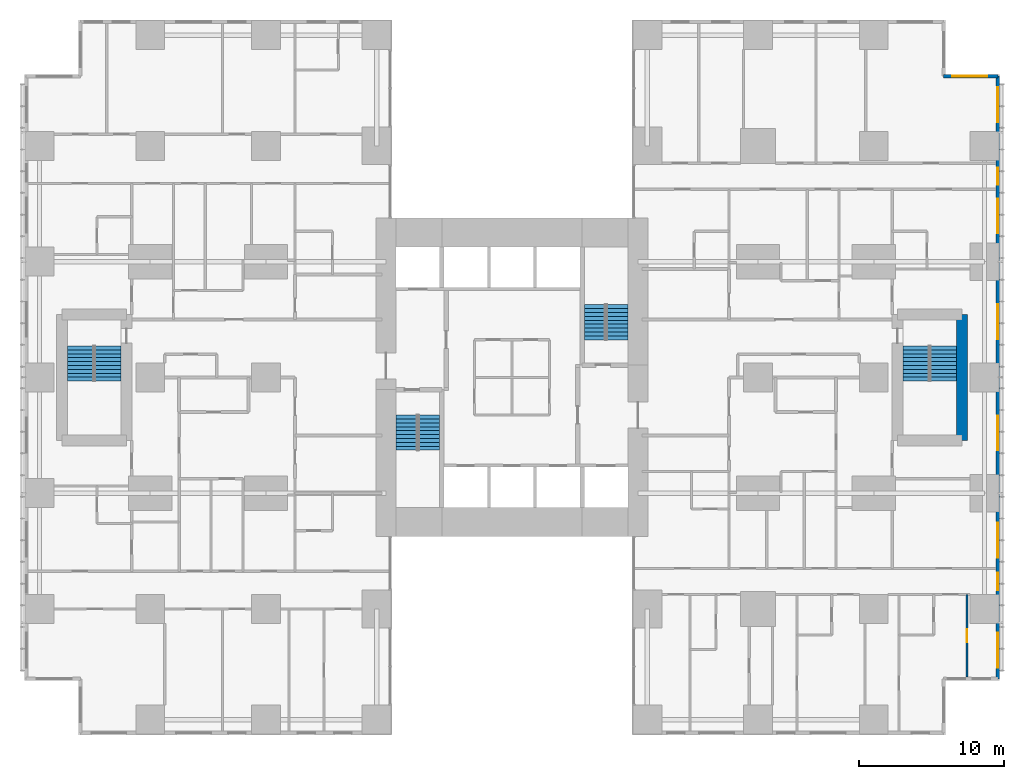
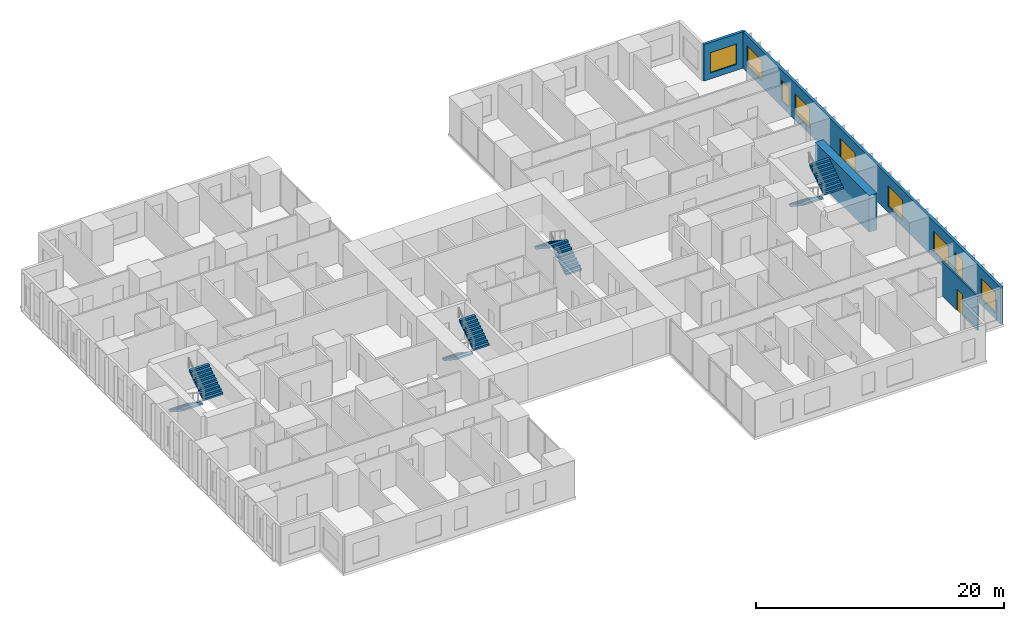
# One storey, part 19 of 20: 9 windows, 8 stair flights, 4 walls, 1 door, 10 openings, 4 elements without a shape of their own.
"""IFC4 building model written with IfcOpenShell, lengths in metres."""

from ifc_helpers import new_model, si_unit, direction, frame, frame_2d, origin, place, context, subcontext, project, spatial, polyline, rectangle, outline, extrude, material, layer, layer_set, type_object, element, fill, aggregate, save


model = new_model("IFC4")

# Units and contexts
model_context = context("Model", 3, precision=1e-05, world=origin(), true_north=direction((0.0, 1.0)))
body_context = subcontext(model_context, "Body", "Model", "MODEL_VIEW")
ifc_project = project(units=[si_unit("LENGTHUNIT", "METRE"), si_unit("AREAUNIT", "SQUARE_METRE"), si_unit("VOLUMEUNIT", "CUBIC_METRE"), si_unit("PLANEANGLEUNIT", "RADIAN"), si_unit("MASSUNIT", "GRAM", prefix="KILO")], contexts=[model_context])

# Site, building, storey
site_placement = place(None, origin())
site = spatial("IfcSite", under=ifc_project, at=site_placement, CompositionType="ELEMENT")
building_placement = place(site_placement, origin())
building = spatial("IfcBuilding", under=site, at=building_placement, Name="Cleftline Residences", CompositionType="ELEMENT")
storey_placement = place(building_placement, frame((0.0, 0.0, 51.199951171875)))
storey = spatial("IfcBuildingStorey", under=building, at=storey_placement, Name="L12", CompositionType="ELEMENT", Elevation=51.199951171875)

# Wall, openings, windows
ifc_material_1 = material(Name="Rendered reinforced concrete blockwork", Category="masonry")
ifc_layer_1 = layer(ifc_material_1, 0.25)
ifc_layer_set_1 = layer_set([ifc_layer_1], Name="EXTERNAL WALL 250")
wall_type_1 = type_object("IfcWallType", Name="EXTERNAL WALL 250", PredefinedType="SOLIDWALL", material=ifc_layer_set_1)
wall_1_placement = place(storey_placement, frame((66.574951171875, 3.175048828125, 0.0), z_axis=(0.0, 0.0, 1.0), x_axis=(0.0, 1.0, 0.0)))
wall_1 = element("IfcWall", 1, at=wall_1_placement, inside=storey, type_object=wall_type_1, Name="External wall", PredefinedType="SOLIDWALL", context=body_context, shape_type="SweptSolid", body=[
    extrude(rectangle(XDim=41.64990234375, YDim=0.25, at=frame_2d((20.824951171875, 0.0))), origin(), (0.0, 0.0, 1.0), 3.60009765625),
])
opening_1_placement = place(wall_1_placement, frame((0.77490234375, 0.0, 0.60009765625)))
opening_1 = element("IfcOpeningElement", 2, at=opening_1_placement, cuts=wall_1, Name="Opening W6", PredefinedType="OPENING", context=body_context, shape_type="SweptSolid", body=[
    extrude(rectangle(XDim=2.39990234375, YDim=2.0, at=frame_2d((1.199951171875, 1.0))), frame((0.0, 0.135009765625, 0.0), z_axis=(0.0, -1.0, 0.0), x_axis=(1.0, 0.0, 0.0)), (0.0, 0.0, 1.0), 0.27001953125),
])
opening_2_placement = place(wall_1_placement, frame((6.125, 0.0, 0.60009765625)))
opening_2 = element("IfcOpeningElement", 3, at=opening_2_placement, cuts=wall_1, Name="Opening W8", PredefinedType="OPENING", context=body_context, shape_type="SweptSolid", body=[
    extrude(rectangle(XDim=1.199951171875, YDim=2.0, at=frame_2d((0.60009765625, 1.0))), frame((0.0, 0.135009765625, 0.0), z_axis=(0.0, -1.0, 0.0), x_axis=(1.0, 0.0, 0.0)), (0.0, 0.0, 1.0), 0.27001953125),
])
opening_3_placement = place(wall_1_placement, frame((8.375, 0.0, 0.60009765625)))
opening_3 = element("IfcOpeningElement", 4, at=opening_3_placement, cuts=wall_1, Name="Opening W6", PredefinedType="OPENING", context=body_context, shape_type="SweptSolid", body=[
    extrude(rectangle(XDim=2.39990234375, YDim=2.0, at=frame_2d((1.199951171875, 1.0))), frame((0.0, 0.135009765625, 0.0), z_axis=(0.0, -1.0, 0.0), x_axis=(1.0, 0.0, 0.0)), (0.0, 0.0, 1.0), 0.27001953125),
])
opening_4_placement = place(wall_1_placement, frame((15.77490234375, 0.0, 0.60009765625)))
opening_4 = element("IfcOpeningElement", 5, at=opening_4_placement, cuts=wall_1, Name="Opening W6", PredefinedType="OPENING", context=body_context, shape_type="SweptSolid", body=[
    extrude(rectangle(XDim=2.39990234375, YDim=2.0, at=frame_2d((1.199951171875, 1.0))), frame((0.0, 0.135009765625, 0.0), z_axis=(0.0, -1.0, 0.0), x_axis=(1.0, 0.0, 0.0)), (0.0, 0.0, 1.0), 0.27001953125),
])
opening_5_placement = place(wall_1_placement, frame((23.47509765625, 0.0, 0.60009765625)))
opening_5 = element("IfcOpeningElement", 6, at=opening_5_placement, cuts=wall_1, Name="Opening W6", PredefinedType="OPENING", context=body_context, shape_type="SweptSolid", body=[
    extrude(rectangle(XDim=2.39990234375, YDim=2.0, at=frame_2d((1.199951171875, 1.0))), frame((0.0, 0.135009765625, 0.0), z_axis=(0.0, -1.0, 0.0), x_axis=(1.0, 0.0, 0.0)), (0.0, 0.0, 1.0), 0.27001953125),
])
opening_6_placement = place(wall_1_placement, frame((30.77490234375, 0.0, 0.60009765625)))
opening_6 = element("IfcOpeningElement", 7, at=opening_6_placement, cuts=wall_1, Name="Opening W6", PredefinedType="OPENING", context=body_context, shape_type="SweptSolid", body=[
    extrude(rectangle(XDim=2.39990234375, YDim=2.0, at=frame_2d((1.199951171875, 1.0))), frame((0.0, 0.135009765625, 0.0), z_axis=(0.0, -1.0, 0.0), x_axis=(1.0, 0.0, 0.0)), (0.0, 0.0, 1.0), 0.27001953125),
])
opening_7_placement = place(wall_1_placement, frame((34.125, 0.0, 0.60009765625)))
opening_7 = element("IfcOpeningElement", 8, at=opening_7_placement, cuts=wall_1, Name="Opening W8", PredefinedType="OPENING", context=body_context, shape_type="SweptSolid", body=[
    extrude(rectangle(XDim=1.199951171875, YDim=2.0, at=frame_2d((0.60009765625, 1.0))), frame((0.0, 0.135009765625, 0.0), z_axis=(0.0, -1.0, 0.0), x_axis=(1.0, 0.0, 0.0)), (0.0, 0.0, 1.0), 0.27001953125),
])
opening_8_placement = place(wall_1_placement, frame((38.47509765625, 0.0, 0.60009765625)))
opening_8 = element("IfcOpeningElement", 9, at=opening_8_placement, cuts=wall_1, Name="Opening W6", PredefinedType="OPENING", context=body_context, shape_type="SweptSolid", body=[
    extrude(rectangle(XDim=2.39990234375, YDim=2.0, at=frame_2d((1.199951171875, 1.0))), frame((0.0, 0.135009765625, 0.0), z_axis=(0.0, -1.0, 0.0), x_axis=(1.0, 0.0, 0.0)), (0.0, 0.0, 1.0), 0.27001953125),
])
ifc_material_2 = material(Name="Aluminium frame, clear double glazing", Category="aluminium")
window_type_1 = type_object("IfcWindowType", Name="WINDOW 1200X2000", PartitioningType="DOUBLE_PANEL_VERTICAL", PredefinedType="WINDOW", material=ifc_material_2)
window_1_placement = place(opening_2_placement, origin())
window_1 = element("IfcWindow", 10, at=window_1_placement, inside=storey, type_object=window_type_1, Name="Window", OverallHeight=2.0, OverallWidth=1.199951171875, PartitioningType="SINGLE_PANEL", PredefinedType="WINDOW", context=body_context, shape_type="SweptSolid", body=[
    extrude(rectangle(XDim=1.199951171875, YDim=2.0, at=frame_2d((0.60009765625, 1.0))), frame((0.0, 0.030029296875, 0.0), z_axis=(0.0, -1.0, 0.0), x_axis=(1.0, 0.0, 0.0)), (0.0, 0.0, 1.0), 0.06005859375),
])
fill(opening_2, window_1)
window_2_placement = place(opening_7_placement, origin())
window_2 = element("IfcWindow", 11, at=window_2_placement, inside=storey, type_object=window_type_1, Name="Window", OverallHeight=2.0, OverallWidth=1.199951171875, PartitioningType="SINGLE_PANEL", PredefinedType="WINDOW", context=body_context, shape_type="SweptSolid", body=[
    extrude(rectangle(XDim=1.199951171875, YDim=2.0, at=frame_2d((0.60009765625, 1.0))), frame((0.0, 0.030029296875, 0.0), z_axis=(0.0, -1.0, 0.0), x_axis=(1.0, 0.0, 0.0)), (0.0, 0.0, 1.0), 0.06005859375),
])
fill(opening_7, window_2)
ifc_material_3 = material(Name="Aluminium frame, clear double glazing", Category="aluminium")
window_type_2 = type_object("IfcWindowType", Name="WINDOW 2400X2000", PartitioningType="DOUBLE_PANEL_VERTICAL", PredefinedType="WINDOW", material=ifc_material_3)
window_3_placement = place(opening_1_placement, origin())
window_3 = element("IfcWindow", 12, at=window_3_placement, inside=storey, type_object=window_type_2, Name="Window", OverallHeight=2.0, OverallWidth=2.39990234375, PartitioningType="SINGLE_PANEL", PredefinedType="WINDOW", context=body_context, shape_type="SweptSolid", body=[
    extrude(rectangle(XDim=2.39990234375, YDim=2.0, at=frame_2d((1.199951171875, 1.0))), frame((0.0, 0.030029296875, 0.0), z_axis=(0.0, -1.0, 0.0), x_axis=(1.0, 0.0, 0.0)), (0.0, 0.0, 1.0), 0.06005859375),
])
fill(opening_1, window_3)
window_4_placement = place(opening_3_placement, origin())
window_4 = element("IfcWindow", 13, at=window_4_placement, inside=storey, type_object=window_type_2, Name="Window", OverallHeight=2.0, OverallWidth=2.39990234375, PartitioningType="SINGLE_PANEL", PredefinedType="WINDOW", context=body_context, shape_type="SweptSolid", body=[
    extrude(rectangle(XDim=2.39990234375, YDim=2.0, at=frame_2d((1.199951171875, 1.0))), frame((0.0, 0.030029296875, 0.0), z_axis=(0.0, -1.0, 0.0), x_axis=(1.0, 0.0, 0.0)), (0.0, 0.0, 1.0), 0.06005859375),
])
fill(opening_3, window_4)
window_5_placement = place(opening_4_placement, origin())
window_5 = element("IfcWindow", 14, at=window_5_placement, inside=storey, type_object=window_type_2, Name="Window", OverallHeight=2.0, OverallWidth=2.39990234375, PartitioningType="SINGLE_PANEL", PredefinedType="WINDOW", context=body_context, shape_type="SweptSolid", body=[
    extrude(rectangle(XDim=2.39990234375, YDim=2.0, at=frame_2d((1.199951171875, 1.0))), frame((0.0, 0.030029296875, 0.0), z_axis=(0.0, -1.0, 0.0), x_axis=(1.0, 0.0, 0.0)), (0.0, 0.0, 1.0), 0.06005859375),
])
fill(opening_4, window_5)
window_6_placement = place(opening_5_placement, origin())
window_6 = element("IfcWindow", 15, at=window_6_placement, inside=storey, type_object=window_type_2, Name="Window", OverallHeight=2.0, OverallWidth=2.39990234375, PartitioningType="SINGLE_PANEL", PredefinedType="WINDOW", context=body_context, shape_type="SweptSolid", body=[
    extrude(rectangle(XDim=2.39990234375, YDim=2.0, at=frame_2d((1.199951171875, 1.0))), frame((0.0, 0.030029296875, 0.0), z_axis=(0.0, -1.0, 0.0), x_axis=(1.0, 0.0, 0.0)), (0.0, 0.0, 1.0), 0.06005859375),
])
fill(opening_5, window_6)
window_7_placement = place(opening_6_placement, origin())
window_7 = element("IfcWindow", 16, at=window_7_placement, inside=storey, type_object=window_type_2, Name="Window", OverallHeight=2.0, OverallWidth=2.39990234375, PartitioningType="SINGLE_PANEL", PredefinedType="WINDOW", context=body_context, shape_type="SweptSolid", body=[
    extrude(rectangle(XDim=2.39990234375, YDim=2.0, at=frame_2d((1.199951171875, 1.0))), frame((0.0, 0.030029296875, 0.0), z_axis=(0.0, -1.0, 0.0), x_axis=(1.0, 0.0, 0.0)), (0.0, 0.0, 1.0), 0.06005859375),
])
fill(opening_6, window_7)
window_8_placement = place(opening_8_placement, origin())
window_8 = element("IfcWindow", 17, at=window_8_placement, inside=storey, type_object=window_type_2, Name="Window", OverallHeight=2.0, OverallWidth=2.39990234375, PartitioningType="SINGLE_PANEL", PredefinedType="WINDOW", context=body_context, shape_type="SweptSolid", body=[
    extrude(rectangle(XDim=2.39990234375, YDim=2.0, at=frame_2d((1.199951171875, 1.0))), frame((0.0, 0.030029296875, 0.0), z_axis=(0.0, -1.0, 0.0), x_axis=(1.0, 0.0, 0.0)), (0.0, 0.0, 1.0), 0.06005859375),
])
fill(opening_8, window_8)

# Wall, opening, window
wall_2_placement = place(storey_placement, frame((66.574951171875, 44.824951171875, 0.0), z_axis=(0.0, 0.0, 1.0), x_axis=(-1.0, 0.0, 0.0)))
wall_2 = element("IfcWall", 18, at=wall_2_placement, inside=storey, type_object=wall_type_1, Name="External wall", PredefinedType="SOLIDWALL", context=body_context, shape_type="SweptSolid", body=[
    extrude(rectangle(XDim=3.75, YDim=0.25, at=frame_2d((1.875, 0.0))), origin(), (0.0, 0.0, 1.0), 3.60009765625),
])
opening_9_placement = place(wall_2_placement, frame((0.737548828125, 0.0, 0.60009765625)))
opening_9 = element("IfcOpeningElement", 19, at=opening_9_placement, cuts=wall_2, Name="Opening W6", PredefinedType="OPENING", context=body_context, shape_type="SweptSolid", body=[
    extrude(rectangle(XDim=2.39990234375, YDim=2.0, at=frame_2d((1.199951171875, 1.0))), frame((0.0, 0.135009765625, 0.0), z_axis=(0.0, -1.0, 0.0), x_axis=(1.0, 0.0, 0.0)), (0.0, 0.0, 1.0), 0.27001953125),
])
window_9_placement = place(opening_9_placement, origin())
window_9 = element("IfcWindow", 20, at=window_9_placement, inside=storey, type_object=window_type_2, Name="Window", OverallHeight=2.0, OverallWidth=2.39990234375, PartitioningType="SINGLE_PANEL", PredefinedType="WINDOW", context=body_context, shape_type="SweptSolid", body=[
    extrude(rectangle(XDim=2.39990234375, YDim=2.0, at=frame_2d((1.199951171875, 1.0))), frame((0.0, 0.030029296875, 0.0), z_axis=(0.0, -1.0, 0.0), x_axis=(1.0, 0.0, 0.0)), (0.0, 0.0, 1.0), 0.06005859375),
])
fill(opening_9, window_9)

# Wall, opening, door
ifc_material_4 = material(Name="Gypsum board on steel studs", Category="steel")
ifc_layer_2 = layer(ifc_material_4, 0.14990234375)
ifc_layer_set_2 = layer_set([ifc_layer_2], Name="PARTITION 150")
wall_type_2 = type_object("IfcWallType", Name="PARTITION 150", PredefinedType="PARTITIONING", material=ifc_layer_set_2)
wall_3_placement = place(storey_placement, frame((64.449951171875, 3.300048828125, 0.0), z_axis=(0.0, 0.0, 1.0), x_axis=(0.0, 1.0, 0.0)))
wall_3 = element("IfcWall", 21, at=wall_3_placement, inside=storey, type_object=wall_type_2, Name="Partition", PredefinedType="PARTITIONING", context=body_context, shape_type="SweptSolid", body=[
    extrude(rectangle(XDim=5.699951171875, YDim=0.14990234375, at=frame_2d((2.85009765625, 0.0))), origin(), (0.0, 0.0, 1.0), 3.35009765625),
])
opening_10_placement = place(wall_3_placement, frame((2.39990234375, 0.0, 0.0)))
opening_10 = element("IfcOpeningElement", 22, at=opening_10_placement, cuts=wall_3, Name="Opening D1", PredefinedType="OPENING", context=body_context, shape_type="SweptSolid", body=[
    extrude(rectangle(XDim=0.89990234375, YDim=2.10009765625, at=frame_2d((0.449951171875, 1.050048828125))), frame((0.0, 0.0849609375, 0.0), z_axis=(0.0, -1.0, 0.0), x_axis=(1.0, 0.0, 0.0)), (0.0, 0.0, 1.0), 0.169921875),
])
ifc_material_5 = material(Name="Timber veneer on solid core", Category="wood")
door_type = type_object("IfcDoorType", Name="DOOR 900X2100", OperationType="SINGLE_SWING_LEFT", PredefinedType="DOOR", material=ifc_material_5)
door_placement = place(opening_10_placement, origin())
door = element("IfcDoor", 23, at=door_placement, inside=storey, type_object=door_type, Name="Door to walk-in wardrobe", OperationType="SINGLE_SWING_LEFT", OverallHeight=2.10009765625, OverallWidth=0.89990234375, PredefinedType="DOOR", context=body_context, shape_type="SweptSolid", body=[
    extrude(rectangle(XDim=0.89990234375, YDim=2.10009765625, at=frame_2d((0.449951171875, 1.050048828125))), frame((0.0, 0.02490234375, 0.0), z_axis=(0.0, -1.0, 0.0), x_axis=(1.0, 0.0, 0.0)), (0.0, 0.0, 1.0), 0.050048828125),
])
fill(opening_10, door)

# Wall
ifc_material_6 = material(Name="Concrete B70", Category="concrete")
ifc_layer_3 = layer(ifc_material_6, 0.75)
ifc_layer_set_3 = layer_set([ifc_layer_3], Name="SHEAR WALL 750")
wall_type_3 = type_object("IfcWallType", Name="SHEAR WALL 750", PredefinedType="SHEAR", material=ifc_layer_set_3)
wall_4_placement = place(storey_placement, frame((64.10009765625, 19.64990234375, 0.0), z_axis=(0.0, 0.0, 1.0), x_axis=(0.0, 1.0, 0.0)))
element("IfcWall", 24, at=wall_4_placement, inside=storey, type_object=wall_type_3, Name="Wing shear wall", PredefinedType="SHEAR", context=body_context, shape_type="SweptSolid", body=[
    extrude(rectangle(XDim=8.7001953125, YDim=0.75, at=frame_2d((4.35009765625, 0.0))), origin(), (0.0, 0.0, 1.0), 3.60009765625),
])

# Stair, stair flights
ifc_material_7 = material(Name="Concrete B45, stone treads", Category="masonry")
stair_type_1 = type_object("IfcStairType", Name="STAIR A 1450 WIDE 180 RISER", PredefinedType="HALF_TURN_STAIR", material=ifc_material_7)
stair_1_placement = place(storey_placement, origin())
stair_1 = element("IfcStair", 25, at=stair_1_placement, inside=storey, type_object=stair_type_1, Name="Stair A L12", PredefinedType="HALF_TURN_STAIR")
ifc_material_8 = material(Name="Concrete B45", Category="concrete")
stair_flight_type_1 = type_object("IfcStairFlightType", Name="STAIR A FLIGHT 1450X180", PredefinedType="STRAIGHT", material=ifc_material_8)
stair_flight_1_placement = place(storey_placement, frame((25.72509765625, 21.39990234375, 0.0), z_axis=(0.0, 0.0, 1.0), x_axis=(0.0, -1.0, 0.0)))
stair_flight_1 = element("IfcStairFlight", 26, at=stair_flight_1_placement, type_object=stair_flight_type_1, Name="ST-A flight 1", NumberOfRisers=10, NumberOfTreads=9, PredefinedType="STRAIGHT", RiserHeight=0.18, TreadLength=0.27, context=body_context, shape_type="SweptSolid", body=[
    extrude(outline(polyline([(0.0, 0.0), (0.0, 0.013916015625), (0.0, 0.027587890625), (0.0, 0.04150390625), (0.0, 0.055419921875), (0.0, 0.0693359375), (0.0, 0.0830078125), (0.0, 0.096923828125), (0.0, 0.11083984375), (0.0, 0.12451171875), (0.0, 0.138427734375), (0.0, 0.15234375), (0.0, 0.166259765625), (0.0, 0.179931640625), (0.27001953125, 0.179931640625), (0.27001953125, 0.360107421875), (0.5400390625, 0.360107421875), (0.5400390625, 0.5400390625), (0.81005859375, 0.5400390625), (0.81005859375, 0.719970703125), (1.080078125, 0.719970703125), (1.080078125, 0.89990234375), (1.35009765625, 0.89990234375), (1.35009765625, 1.080078125), (1.6201171875, 1.080078125), (1.6201171875, 1.260009765625), (1.889892578125, 1.260009765625), (1.889892578125, 1.43994140625), (2.159912109375, 1.43994140625), (2.159912109375, 1.6201171875), (2.429931640625, 1.6201171875), (2.429931640625, 1.800048828125), (2.429931640625, 1.772216796875), (2.429931640625, 1.74462890625), (2.429931640625, 1.716796875), (2.429931640625, 1.689208984375), (2.429931640625, 1.661376953125), (2.429931640625, 1.6337890625), (2.429931640625, 1.60595703125), (2.429931640625, 1.578369140625), (2.429931640625, 1.550537109375), (2.429931640625, 1.52294921875), (2.429931640625, 1.495361328125), (2.429931640625, 1.467529296875), (2.429931640625, 1.43994140625), (0.270263671875, 0.0), (0.0, 0.0)])), frame((0.0, 0.72509765625, 0.0), z_axis=(0.0, -1.0, 0.0), x_axis=(1.0, 0.0, 0.0)), (0.0, 0.0, 1.0), 1.449951171875),
])
stair_flight_2_placement = place(storey_placement, frame((27.27490234375, 18.969970703125, 1.800048828125), z_axis=(0.0, 0.0, 1.0), x_axis=(0.0, 1.0, 0.0)))
stair_flight_2 = element("IfcStairFlight", 27, at=stair_flight_2_placement, type_object=stair_flight_type_1, Name="ST-A flight 2", NumberOfRisers=10, NumberOfTreads=9, PredefinedType="STRAIGHT", RiserHeight=0.18, TreadLength=0.27, context=body_context, shape_type="SweptSolid", body=[
    extrude(outline(polyline([(0.0, 0.0), (0.0, 0.013916015625), (0.0, 0.027587890625), (0.0, 0.04150390625), (0.0, 0.055419921875), (0.0, 0.0693359375), (0.0, 0.0830078125), (0.0, 0.096923828125), (0.0, 0.11083984375), (0.0, 0.12451171875), (0.0, 0.138427734375), (0.0, 0.15234375), (0.0, 0.166259765625), (0.0, 0.179931640625), (0.27001953125, 0.179931640625), (0.27001953125, 0.360107421875), (0.5400390625, 0.360107421875), (0.5400390625, 0.5400390625), (0.81005859375, 0.5400390625), (0.81005859375, 0.719970703125), (1.080078125, 0.719970703125), (1.080078125, 0.89990234375), (1.35009765625, 0.89990234375), (1.35009765625, 1.080078125), (1.6201171875, 1.080078125), (1.6201171875, 1.260009765625), (1.889892578125, 1.260009765625), (1.889892578125, 1.43994140625), (2.159912109375, 1.43994140625), (2.159912109375, 1.6201171875), (2.429931640625, 1.6201171875), (2.429931640625, 1.800048828125), (2.429931640625, 1.772216796875), (2.429931640625, 1.74462890625), (2.429931640625, 1.716796875), (2.429931640625, 1.689208984375), (2.429931640625, 1.661376953125), (2.429931640625, 1.6337890625), (2.429931640625, 1.60595703125), (2.429931640625, 1.578369140625), (2.429931640625, 1.550537109375), (2.429931640625, 1.52294921875), (2.429931640625, 1.495361328125), (2.429931640625, 1.467529296875), (2.429931640625, 1.43994140625), (0.270263671875, 0.0), (0.0, 0.0)])), frame((0.0, 0.72509765625, 0.0), z_axis=(0.0, -1.0, 0.0), x_axis=(1.0, 0.0, 0.0)), (0.0, 0.0, 1.0), 1.449951171875),
])
aggregate(stair_1, [stair_flight_1, stair_flight_2])

ifc_material_9 = material(Name="Concrete B45, stone treads", Category="masonry")
stair_type_2 = type_object("IfcStairType", Name="STAIR B 1450 WIDE 180 RISER", PredefinedType="HALF_TURN_STAIR", material=ifc_material_9)
stair_2_placement = place(storey_placement, origin())
stair_2 = element("IfcStair", 28, at=stair_2_placement, inside=storey, type_object=stair_type_2, Name="Stair B L12", PredefinedType="HALF_TURN_STAIR")
ifc_material_10 = material(Name="Concrete B45", Category="concrete")
stair_flight_type_2 = type_object("IfcStairFlightType", Name="STAIR B FLIGHT 1450X180", PredefinedType="STRAIGHT", material=ifc_material_10)
stair_flight_3_placement = place(storey_placement, frame((40.27490234375, 26.60009765625, 0.0), z_axis=(0.0, 0.0, 1.0), x_axis=(0.0, 1.0, 0.0)))
stair_flight_3 = element("IfcStairFlight", 29, at=stair_flight_3_placement, type_object=stair_flight_type_2, Name="ST-B flight 1", NumberOfRisers=10, NumberOfTreads=9, PredefinedType="STRAIGHT", RiserHeight=0.18, TreadLength=0.27, context=body_context, shape_type="SweptSolid", body=[
    extrude(outline(polyline([(0.0, 0.0), (0.0, 0.013916015625), (0.0, 0.027587890625), (0.0, 0.04150390625), (0.0, 0.055419921875), (0.0, 0.0693359375), (0.0, 0.0830078125), (0.0, 0.096923828125), (0.0, 0.11083984375), (0.0, 0.12451171875), (0.0, 0.138427734375), (0.0, 0.15234375), (0.0, 0.166259765625), (0.0, 0.179931640625), (0.27001953125, 0.179931640625), (0.27001953125, 0.360107421875), (0.5400390625, 0.360107421875), (0.5400390625, 0.5400390625), (0.81005859375, 0.5400390625), (0.81005859375, 0.719970703125), (1.080078125, 0.719970703125), (1.080078125, 0.89990234375), (1.35009765625, 0.89990234375), (1.35009765625, 1.080078125), (1.6201171875, 1.080078125), (1.6201171875, 1.260009765625), (1.889892578125, 1.260009765625), (1.889892578125, 1.43994140625), (2.159912109375, 1.43994140625), (2.159912109375, 1.6201171875), (2.429931640625, 1.6201171875), (2.429931640625, 1.800048828125), (2.429931640625, 1.772216796875), (2.429931640625, 1.74462890625), (2.429931640625, 1.716796875), (2.429931640625, 1.689208984375), (2.429931640625, 1.661376953125), (2.429931640625, 1.6337890625), (2.429931640625, 1.60595703125), (2.429931640625, 1.578369140625), (2.429931640625, 1.550537109375), (2.429931640625, 1.52294921875), (2.429931640625, 1.495361328125), (2.429931640625, 1.467529296875), (2.429931640625, 1.43994140625), (0.270263671875, 0.0), (0.0, 0.0)])), frame((0.0, 0.72509765625, 0.0), z_axis=(0.0, -1.0, 0.0), x_axis=(1.0, 0.0, 0.0)), (0.0, 0.0, 1.0), 1.449951171875),
])
stair_flight_4_placement = place(storey_placement, frame((38.72509765625, 29.030029296875, 1.800048828125), z_axis=(0.0, 0.0, 1.0), x_axis=(0.0, -1.0, 0.0)))
stair_flight_4 = element("IfcStairFlight", 30, at=stair_flight_4_placement, type_object=stair_flight_type_2, Name="ST-B flight 2", NumberOfRisers=10, NumberOfTreads=9, PredefinedType="STRAIGHT", RiserHeight=0.18, TreadLength=0.27, context=body_context, shape_type="SweptSolid", body=[
    extrude(outline(polyline([(0.0, 0.0), (0.0, 0.013916015625), (0.0, 0.027587890625), (0.0, 0.04150390625), (0.0, 0.055419921875), (0.0, 0.0693359375), (0.0, 0.0830078125), (0.0, 0.096923828125), (0.0, 0.11083984375), (0.0, 0.12451171875), (0.0, 0.138427734375), (0.0, 0.15234375), (0.0, 0.166259765625), (0.0, 0.179931640625), (0.27001953125, 0.179931640625), (0.27001953125, 0.360107421875), (0.5400390625, 0.360107421875), (0.5400390625, 0.5400390625), (0.81005859375, 0.5400390625), (0.81005859375, 0.719970703125), (1.080078125, 0.719970703125), (1.080078125, 0.89990234375), (1.35009765625, 0.89990234375), (1.35009765625, 1.080078125), (1.6201171875, 1.080078125), (1.6201171875, 1.260009765625), (1.889892578125, 1.260009765625), (1.889892578125, 1.43994140625), (2.159912109375, 1.43994140625), (2.159912109375, 1.6201171875), (2.429931640625, 1.6201171875), (2.429931640625, 1.800048828125), (2.429931640625, 1.772216796875), (2.429931640625, 1.74462890625), (2.429931640625, 1.716796875), (2.429931640625, 1.689208984375), (2.429931640625, 1.661376953125), (2.429931640625, 1.6337890625), (2.429931640625, 1.60595703125), (2.429931640625, 1.578369140625), (2.429931640625, 1.550537109375), (2.429931640625, 1.52294921875), (2.429931640625, 1.495361328125), (2.429931640625, 1.467529296875), (2.429931640625, 1.43994140625), (0.270263671875, 0.0), (0.0, 0.0)])), frame((0.0, 0.72509765625, 0.0), z_axis=(0.0, -1.0, 0.0), x_axis=(1.0, 0.0, 0.0)), (0.0, 0.0, 1.0), 1.449951171875),
])
aggregate(stair_2, [stair_flight_3, stair_flight_4])

ifc_material_11 = material(Name="Concrete B45, stone treads", Category="masonry")
stair_type_3 = type_object("IfcStairType", Name="STAIR E 1800 WIDE 180 RISER", PredefinedType="HALF_TURN_STAIR", material=ifc_material_11)
stair_3_placement = place(storey_placement, origin())
stair_3 = element("IfcStair", 31, at=stair_3_placement, inside=storey, type_object=stair_type_3, Name="Stair E L12", PredefinedType="HALF_TURN_STAIR")
ifc_material_12 = material(Name="Concrete B45", Category="concrete")
stair_flight_type_3 = type_object("IfcStairFlightType", Name="STAIR E FLIGHT 1800X180", PredefinedType="STRAIGHT", material=ifc_material_12)
stair_flight_5_placement = place(storey_placement, frame((60.925048828125, 26.175048828125, 0.0), z_axis=(0.0, 0.0, 1.0), x_axis=(0.0, -1.0, 0.0)))
stair_flight_5 = element("IfcStairFlight", 32, at=stair_flight_5_placement, type_object=stair_flight_type_3, Name="ST-E flight 1", NumberOfRisers=10, NumberOfTreads=9, PredefinedType="STRAIGHT", RiserHeight=0.18, TreadLength=0.27, context=body_context, shape_type="SweptSolid", body=[
    extrude(outline(polyline([(0.0, 0.0), (0.0, 0.013916015625), (0.0, 0.027587890625), (0.0, 0.04150390625), (0.0, 0.055419921875), (0.0, 0.0693359375), (0.0, 0.0830078125), (0.0, 0.096923828125), (0.0, 0.11083984375), (0.0, 0.12451171875), (0.0, 0.138427734375), (0.0, 0.15234375), (0.0, 0.166259765625), (0.0, 0.179931640625), (0.27001953125, 0.179931640625), (0.27001953125, 0.360107421875), (0.5400390625, 0.360107421875), (0.5400390625, 0.5400390625), (0.81005859375, 0.5400390625), (0.81005859375, 0.719970703125), (1.080078125, 0.719970703125), (1.080078125, 0.89990234375), (1.35009765625, 0.89990234375), (1.35009765625, 1.080078125), (1.6201171875, 1.080078125), (1.6201171875, 1.260009765625), (1.889892578125, 1.260009765625), (1.889892578125, 1.43994140625), (2.159912109375, 1.43994140625), (2.159912109375, 1.6201171875), (2.429931640625, 1.6201171875), (2.429931640625, 1.800048828125), (2.429931640625, 1.772216796875), (2.429931640625, 1.74462890625), (2.429931640625, 1.716796875), (2.429931640625, 1.689208984375), (2.429931640625, 1.661376953125), (2.429931640625, 1.6337890625), (2.429931640625, 1.60595703125), (2.429931640625, 1.578369140625), (2.429931640625, 1.550537109375), (2.429931640625, 1.52294921875), (2.429931640625, 1.495361328125), (2.429931640625, 1.467529296875), (2.429931640625, 1.43994140625), (0.270263671875, 0.0), (0.0, 0.0)])), frame((0.0, 0.89990234375, 0.0), z_axis=(0.0, -1.0, 0.0), x_axis=(1.0, 0.0, 0.0)), (0.0, 0.0, 1.0), 1.800048828125),
])
stair_flight_6_placement = place(storey_placement, frame((62.824951171875, 23.7451171875, 1.800048828125), z_axis=(0.0, 0.0, 1.0), x_axis=(0.0, 1.0, 0.0)))
stair_flight_6 = element("IfcStairFlight", 33, at=stair_flight_6_placement, type_object=stair_flight_type_3, Name="ST-E flight 2", NumberOfRisers=10, NumberOfTreads=9, PredefinedType="STRAIGHT", RiserHeight=0.18, TreadLength=0.27, context=body_context, shape_type="SweptSolid", body=[
    extrude(outline(polyline([(0.0, 0.0), (0.0, 0.013916015625), (0.0, 0.027587890625), (0.0, 0.04150390625), (0.0, 0.055419921875), (0.0, 0.0693359375), (0.0, 0.0830078125), (0.0, 0.096923828125), (0.0, 0.11083984375), (0.0, 0.12451171875), (0.0, 0.138427734375), (0.0, 0.15234375), (0.0, 0.166259765625), (0.0, 0.179931640625), (0.27001953125, 0.179931640625), (0.27001953125, 0.360107421875), (0.5400390625, 0.360107421875), (0.5400390625, 0.5400390625), (0.81005859375, 0.5400390625), (0.81005859375, 0.719970703125), (1.080078125, 0.719970703125), (1.080078125, 0.89990234375), (1.35009765625, 0.89990234375), (1.35009765625, 1.080078125), (1.6201171875, 1.080078125), (1.6201171875, 1.260009765625), (1.889892578125, 1.260009765625), (1.889892578125, 1.43994140625), (2.159912109375, 1.43994140625), (2.159912109375, 1.6201171875), (2.429931640625, 1.6201171875), (2.429931640625, 1.800048828125), (2.429931640625, 1.772216796875), (2.429931640625, 1.74462890625), (2.429931640625, 1.716796875), (2.429931640625, 1.689208984375), (2.429931640625, 1.661376953125), (2.429931640625, 1.6337890625), (2.429931640625, 1.60595703125), (2.429931640625, 1.578369140625), (2.429931640625, 1.550537109375), (2.429931640625, 1.52294921875), (2.429931640625, 1.495361328125), (2.429931640625, 1.467529296875), (2.429931640625, 1.43994140625), (0.270263671875, 0.0), (0.0, 0.0)])), frame((0.0, 0.89990234375, 0.0), z_axis=(0.0, -1.0, 0.0), x_axis=(1.0, 0.0, 0.0)), (0.0, 0.0, 1.0), 1.800048828125),
])
aggregate(stair_3, [stair_flight_5, stair_flight_6])

ifc_material_13 = material(Name="Concrete B45, stone treads", Category="masonry")
stair_type_4 = type_object("IfcStairType", Name="STAIR W 1800 WIDE 180 RISER", PredefinedType="HALF_TURN_STAIR", material=ifc_material_13)
stair_4_placement = place(storey_placement, origin())
stair_4 = element("IfcStair", 34, at=stair_4_placement, inside=storey, type_object=stair_type_4, Name="Stair W L12", PredefinedType="HALF_TURN_STAIR")
ifc_material_14 = material(Name="Concrete B45", Category="concrete")
stair_flight_type_4 = type_object("IfcStairFlightType", Name="STAIR W FLIGHT 1800X180", PredefinedType="STRAIGHT", material=ifc_material_14)
stair_flight_7_placement = place(storey_placement, frame((3.175048828125, 26.175048828125, 0.0), z_axis=(0.0, 0.0, 1.0), x_axis=(0.0, -1.0, 0.0)))
stair_flight_7 = element("IfcStairFlight", 35, at=stair_flight_7_placement, type_object=stair_flight_type_4, Name="ST-W flight 1", NumberOfRisers=10, NumberOfTreads=9, PredefinedType="STRAIGHT", RiserHeight=0.18, TreadLength=0.27, context=body_context, shape_type="SweptSolid", body=[
    extrude(outline(polyline([(0.0, 0.0), (0.0, 0.013916015625), (0.0, 0.027587890625), (0.0, 0.04150390625), (0.0, 0.055419921875), (0.0, 0.0693359375), (0.0, 0.0830078125), (0.0, 0.096923828125), (0.0, 0.11083984375), (0.0, 0.12451171875), (0.0, 0.138427734375), (0.0, 0.15234375), (0.0, 0.166259765625), (0.0, 0.179931640625), (0.27001953125, 0.179931640625), (0.27001953125, 0.360107421875), (0.5400390625, 0.360107421875), (0.5400390625, 0.5400390625), (0.81005859375, 0.5400390625), (0.81005859375, 0.719970703125), (1.080078125, 0.719970703125), (1.080078125, 0.89990234375), (1.35009765625, 0.89990234375), (1.35009765625, 1.080078125), (1.6201171875, 1.080078125), (1.6201171875, 1.260009765625), (1.889892578125, 1.260009765625), (1.889892578125, 1.43994140625), (2.159912109375, 1.43994140625), (2.159912109375, 1.6201171875), (2.429931640625, 1.6201171875), (2.429931640625, 1.800048828125), (2.429931640625, 1.772216796875), (2.429931640625, 1.74462890625), (2.429931640625, 1.716796875), (2.429931640625, 1.689208984375), (2.429931640625, 1.661376953125), (2.429931640625, 1.6337890625), (2.429931640625, 1.60595703125), (2.429931640625, 1.578369140625), (2.429931640625, 1.550537109375), (2.429931640625, 1.52294921875), (2.429931640625, 1.495361328125), (2.429931640625, 1.467529296875), (2.429931640625, 1.43994140625), (0.270263671875, 0.0), (0.0, 0.0)])), frame((0.0, 0.89990234375, 0.0), z_axis=(0.0, -1.0, 0.0), x_axis=(1.0, 0.0, 0.0)), (0.0, 0.0, 1.0), 1.800048828125),
])
stair_flight_8_placement = place(storey_placement, frame((5.074951171875, 23.7451171875, 1.800048828125), z_axis=(0.0, 0.0, 1.0), x_axis=(0.0, 1.0, 0.0)))
stair_flight_8 = element("IfcStairFlight", 36, at=stair_flight_8_placement, type_object=stair_flight_type_4, Name="ST-W flight 2", NumberOfRisers=10, NumberOfTreads=9, PredefinedType="STRAIGHT", RiserHeight=0.18, TreadLength=0.27, context=body_context, shape_type="SweptSolid", body=[
    extrude(outline(polyline([(0.0, 0.0), (0.0, 0.013916015625), (0.0, 0.027587890625), (0.0, 0.04150390625), (0.0, 0.055419921875), (0.0, 0.0693359375), (0.0, 0.0830078125), (0.0, 0.096923828125), (0.0, 0.11083984375), (0.0, 0.12451171875), (0.0, 0.138427734375), (0.0, 0.15234375), (0.0, 0.166259765625), (0.0, 0.179931640625), (0.27001953125, 0.179931640625), (0.27001953125, 0.360107421875), (0.5400390625, 0.360107421875), (0.5400390625, 0.5400390625), (0.81005859375, 0.5400390625), (0.81005859375, 0.719970703125), (1.080078125, 0.719970703125), (1.080078125, 0.89990234375), (1.35009765625, 0.89990234375), (1.35009765625, 1.080078125), (1.6201171875, 1.080078125), (1.6201171875, 1.260009765625), (1.889892578125, 1.260009765625), (1.889892578125, 1.43994140625), (2.159912109375, 1.43994140625), (2.159912109375, 1.6201171875), (2.429931640625, 1.6201171875), (2.429931640625, 1.800048828125), (2.429931640625, 1.772216796875), (2.429931640625, 1.74462890625), (2.429931640625, 1.716796875), (2.429931640625, 1.689208984375), (2.429931640625, 1.661376953125), (2.429931640625, 1.6337890625), (2.429931640625, 1.60595703125), (2.429931640625, 1.578369140625), (2.429931640625, 1.550537109375), (2.429931640625, 1.52294921875), (2.429931640625, 1.495361328125), (2.429931640625, 1.467529296875), (2.429931640625, 1.43994140625), (0.270263671875, 0.0), (0.0, 0.0)])), frame((0.0, 0.89990234375, 0.0), z_axis=(0.0, -1.0, 0.0), x_axis=(1.0, 0.0, 0.0)), (0.0, 0.0, 1.0), 1.800048828125),
])
aggregate(stair_4, [stair_flight_7, stair_flight_8])

save(model, "model.ifc")
